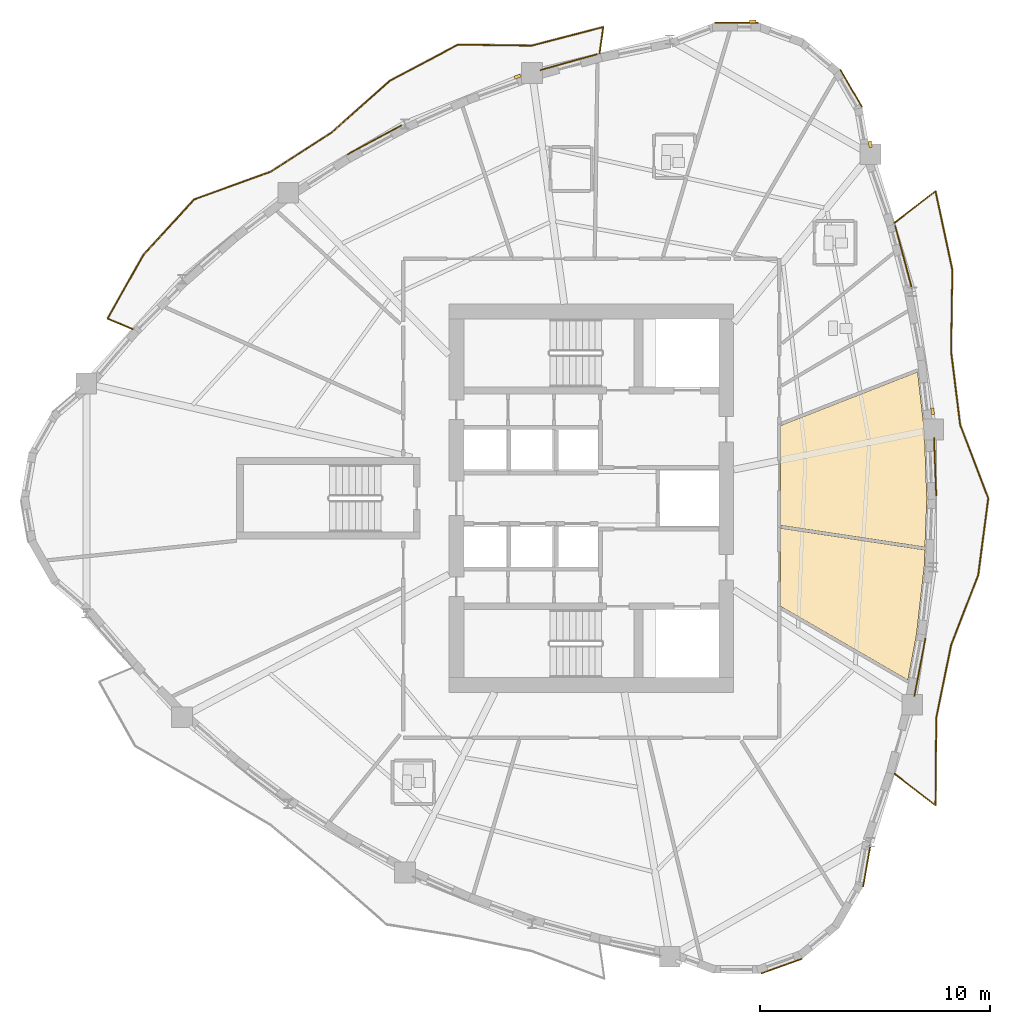
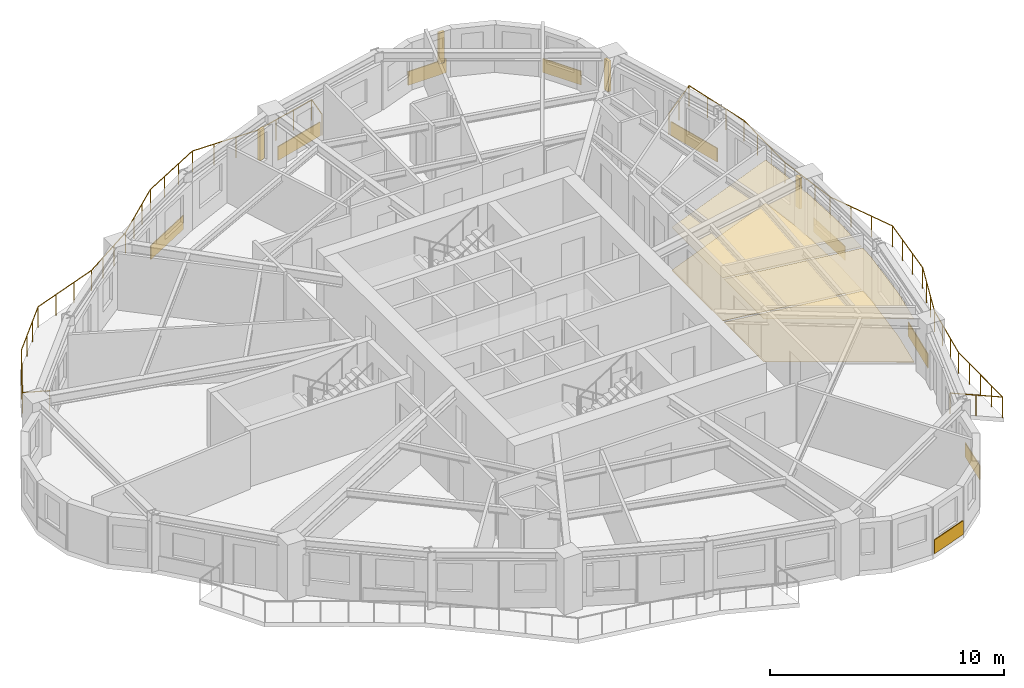
# One storey, part 11 of 12: 13 coverings, 4 shading devices, 2 railings.
"""IFC4 building model written with IfcOpenShell, lengths in metres."""

import ifcopenshell
import ifcopenshell.guid

model = None  # the IFC model being written
_history = None  # IfcOwnerHistory: only IFC2X3 demands one
_inside = {}  # id of a spatial element -> (the spatial element, [elements in it])
_under = {}  # id of a project, library or spatial element -> (it, [spatial elements below it])
_declared = {}  # id of a project -> (the project, [libraries it declares])
_typed = {}  # id of a type object -> (the type object, [elements of that type])
_made_of = {}  # id of a material, layer set ... -> (it, [elements and type objects made of it])


def new_model(schema):
    """Start an empty IFC model of exactly this schema.

    Asked for "IFC4X3", IfcOpenShell would pick the latest addendum, in which some entities
    have other attributes; the version numbers below select the first issue.
    IFC2X3 requires an IfcOwnerHistory on every rooted entity: one is made here for all.
    """
    global model, _history
    if schema == "IFC4X3":
        model = ifcopenshell.file(schema_version=(4, 3, 0, 0))
    else:
        model = ifcopenshell.file(schema=schema)
    _inside.clear()
    _under.clear()
    _declared.clear()
    _typed.clear()
    _made_of.clear()
    _history = None
    if model.schema == "IFC2X3":
        org = make("IfcOrganization", Name="unknown")
        user = make(
            "IfcPersonAndOrganization",
            ThePerson=make("IfcPerson", FamilyName="unknown"),
            TheOrganization=org,
        )
        app = make(
            "IfcApplication",
            ApplicationDeveloper=org,
            Version="unknown",
            ApplicationFullName="unknown",
            ApplicationIdentifier="unknown",
        )
        _history = make(
            "IfcOwnerHistory",
            OwningUser=user,
            OwningApplication=app,
            ChangeAction="ADDED",
            CreationDate=0,
        )
    return model


def make(cls, **values):
    """One entity of the class cls with the attributes given. An attribute that is None is left unset."""
    return model.create_entity(
        cls, **{name: value for name, value in values.items() if value is not None}
    )


def rooted(cls, **values):
    """An entity with a GlobalId (a new one), such as an element, a storey or a relation."""
    return make(cls, GlobalId=ifcopenshell.guid.new(), OwnerHistory=_history, **values)


def si_unit(unit_type, name, prefix=None):
    """IfcSIUnit, for example si_unit("LENGTHUNIT", "METRE", prefix="MILLI")."""
    return make("IfcSIUnit", UnitType=unit_type, Prefix=prefix, Name=name)


def assignment(units):
    """IfcUnitAssignment: the units of a project."""
    return None if units is None else make("IfcUnitAssignment", Units=units)


def point(xyz):
    """IfcCartesianPoint."""
    return None if xyz is None else make("IfcCartesianPoint", Coordinates=xyz)


def direction(xyz):
    """IfcDirection."""
    return None if xyz is None else make("IfcDirection", DirectionRatios=xyz)


def frame(location, z_axis=None, x_axis=None):
    """IfcAxis2Placement3D, a coordinate frame: its origin and axes. An axis left out is left unset."""
    return make(
        "IfcAxis2Placement3D",
        Location=point(location),
        Axis=direction(z_axis),
        RefDirection=direction(x_axis),
    )


def frame_2d(location, x_axis=None):
    """IfcAxis2Placement2D, a coordinate frame in the plane: its origin and x axis."""
    return make(
        "IfcAxis2Placement2D", Location=point(location), RefDirection=direction(x_axis)
    )


def origin():
    """The frame at (0, 0, 0) with its axes left unset."""
    return frame((0.0, 0.0, 0.0))


def origin_2d():
    """The frame at (0, 0) in the plane with its x axis left unset."""
    return frame_2d((0.0, 0.0))


def place(relative_to, where):
    """IfcLocalPlacement: puts the frame where relative to a parent placement (None: the world)."""
    return make(
        "IfcLocalPlacement", PlacementRelTo=relative_to, RelativePlacement=where
    )


def context(
    kind, dimensions, precision=None, world=None, true_north=None, identifier=None
):
    """IfcGeometricRepresentationContext, for example the 3D "Model" context."""
    return make(
        "IfcGeometricRepresentationContext",
        ContextIdentifier=identifier,
        ContextType=kind,
        CoordinateSpaceDimension=dimensions,
        Precision=precision,
        WorldCoordinateSystem=world,
        TrueNorth=true_north,
    )


def subcontext(parent, identifier, kind, view, scale=None):
    """IfcGeometricRepresentationSubContext, for example "Body" below "Model"."""
    return make(
        "IfcGeometricRepresentationSubContext",
        ContextIdentifier=identifier,
        ContextType=kind,
        ParentContext=parent,
        TargetScale=scale,
        TargetView=view,
    )


def project(units=None, contexts=None):
    """IfcProject with its units and contexts."""
    return rooted(
        "IfcProject",
        Name="project",
        RepresentationContexts=contexts,
        UnitsInContext=assignment(units),
    )


def spatial(cls, under=None, at=None, **own):
    """A site, building, storey or space (cls), placed at a placement, below another one or the project."""
    s = rooted(cls, ObjectPlacement=at, **own)
    if under is not None:
        _under.setdefault(under.id(), (under, []))[1].append(s)
    return s


def polyline(points):
    """IfcPolyline through the points."""
    return make("IfcPolyline", Points=[point(p) for p in points])


def profile(cls, at=None, kind="AREA", **sizes):
    """A parametric profile (cls). Its sizes go by their IFC names, for example OverallWidth=200.0."""
    return make(cls, ProfileType=kind, Position=at, **sizes)


def rectangle(**sizes):
    """IfcRectangleProfileDef."""
    return profile("IfcRectangleProfileDef", **sizes)


def circle(**sizes):
    """IfcCircleProfileDef."""
    return profile("IfcCircleProfileDef", **sizes)


def outline(outer, holes=None, kind="AREA"):
    """IfcArbitraryClosedProfileDef: a profile drawn as a closed curve; with holes, ...WithVoids."""
    if holes is None:
        return make("IfcArbitraryClosedProfileDef", ProfileType=kind, OuterCurve=outer)
    return make(
        "IfcArbitraryProfileDefWithVoids",
        ProfileType=kind,
        OuterCurve=outer,
        InnerCurves=holes,
    )


def extrude(swept, where, along, depth):
    """IfcExtrudedAreaSolid: the profile swept, set in the frame where, extruded along a direction by depth."""
    return make(
        "IfcExtrudedAreaSolid",
        SweptArea=swept,
        Position=where,
        ExtrudedDirection=direction(along),
        Depth=depth,
    )


def shape(context_of_items, identifier, shape_type, items):
    """IfcShapeRepresentation: the items that make up one representation, for example the "Body"."""
    return make(
        "IfcShapeRepresentation",
        ContextOfItems=context_of_items,
        RepresentationIdentifier=identifier,
        RepresentationType=shape_type,
        Items=items,
    )


def source(mapping_origin, context_of_items, identifier, shape_type, items):
    """IfcRepresentationMap: a shape defined once, which mapped items show again and again."""
    return make(
        "IfcRepresentationMap",
        MappingOrigin=mapping_origin,
        MappedRepresentation=shape(context_of_items, identifier, shape_type, items),
    )


def transform(
    local_origin,
    x_axis=None,
    y_axis=None,
    z_axis=None,
    scale=None,
    scale2=None,
    scale3=None,
    uniform=True,
):
    """IfcCartesianTransformationOperator3D, or its non-uniform kind. x_axis, y_axis, z_axis: its Axis1, 2, 3."""
    if uniform:
        return make(
            "IfcCartesianTransformationOperator3D",
            Axis1=direction(x_axis),
            Axis2=direction(y_axis),
            LocalOrigin=point(local_origin),
            Scale=scale,
            Axis3=direction(z_axis),
        )
    return make(
        "IfcCartesianTransformationOperator3DnonUniform",
        Axis1=direction(x_axis),
        Axis2=direction(y_axis),
        LocalOrigin=point(local_origin),
        Scale=scale,
        Axis3=direction(z_axis),
        Scale2=scale2,
        Scale3=scale3,
    )


def mapped(mapping_source, mapping_target):
    """IfcMappedItem: shows the shape of a source again, moved by a transform."""
    return make(
        "IfcMappedItem", MappingSource=mapping_source, MappingTarget=mapping_target
    )


def material(Name=None, Category=None):
    """IfcMaterial."""
    return make("IfcMaterial", Name=Name, Category=Category)


def layer(
    of_material, thickness, ventilated=None, Name=None, Category=None, Priority=None
):
    """IfcMaterialLayer: one layer of a wall or slab, of a material (None: an air gap)."""
    return make(
        "IfcMaterialLayer",
        Material=of_material,
        LayerThickness=thickness,
        IsVentilated=ventilated,
        Name=Name,
        Category=Category,
        Priority=Priority,
    )


def layer_set(layers, Name=None):
    """IfcMaterialLayerSet."""
    return make("IfcMaterialLayerSet", MaterialLayers=layers, LayerSetName=Name)


def made_of(thing, what):
    """Note that an element or type object is made of a material, layer set ...; save() writes the relation."""
    if what is not None:
        _made_of.setdefault(what.id(), (what, []))[1].append(thing)
    return thing


def type_object(cls, material=None, **own):
    """A type object (cls), such as IfcWallType, which elements share."""
    return made_of(rooted(cls, **own), material)


def element(
    cls,
    number,
    at=None,
    inside=None,
    cuts=None,
    type_object=None,
    material=None,
    context=None,
    identifier="Body",
    shape_type=None,
    held_by="IfcProductDefinitionShape",
    body=None,
    shapes=None,
    **own,
):
    """One element of the class cls, such as IfcWall. Its Tag is "e" and its number.

    at: its placement. inside: the storey or other place that contains it. cuts: it is an
    opening in that element (IfcRelVoidsElement). A single representation is given by context,
    identifier, shape_type and body (its items); several are given by shapes. held_by: the class
    of the entity that holds the representations. save() writes the other relations.
    """
    e = rooted(cls, Tag="e%d" % number, ObjectPlacement=at, **own)
    if body is not None:
        shapes = [shape(context, identifier, shape_type, body)]
    if shapes is not None:
        e.Representation = make(held_by, Representations=shapes)
    if inside is not None:
        _inside.setdefault(inside.id(), (inside, []))[1].append(e)
    if cuts is not None:
        rooted(
            "IfcRelVoidsElement", RelatingBuildingElement=cuts, RelatedOpeningElement=e
        )
    if type_object is not None:
        _typed.setdefault(type_object.id(), (type_object, []))[1].append(e)
    return made_of(e, material)


def aggregate(whole, parts):
    """IfcRelAggregates: a whole, such as a stair, and the parts it consists of."""
    return rooted("IfcRelAggregates", RelatingObject=whole, RelatedObjects=parts)


def save(model, path):
    """Write the relations noted so far, then the file.

    IfcRelAggregates (storeys below a building ...), IfcRelContainedInSpatialStructure (elements
    in a storey), IfcRelDefinesByType, IfcRelAssociatesMaterial and IfcRelDeclares: one each for
    every whole, place, type object, material and project.
    """
    for whole, parts in _under.values():
        aggregate(whole, parts)
    for where, things in _inside.values():
        rooted(
            "IfcRelContainedInSpatialStructure",
            RelatedElements=things,
            RelatingStructure=where,
        )
    for kind, things in _typed.values():
        rooted("IfcRelDefinesByType", RelatedObjects=things, RelatingType=kind)
    for what, things in _made_of.values():
        rooted("IfcRelAssociatesMaterial", RelatedObjects=things, RelatingMaterial=what)
    for by, libraries in _declared.values():
        rooted("IfcRelDeclares", RelatingContext=by, RelatedDefinitions=libraries)
    model.write(path)


model = new_model("IFC4")

# Units and contexts
model_context = context("Model", 3, precision=1e-05, world=origin(), true_north=direction((0.0, 1.0)))
body_context = subcontext(model_context, "Body", "Model", "MODEL_VIEW")
ifc_project = project(units=[si_unit("LENGTHUNIT", "METRE"), si_unit("AREAUNIT", "SQUARE_METRE"), si_unit("VOLUMEUNIT", "CUBIC_METRE"), si_unit("PLANEANGLEUNIT", "RADIAN"), si_unit("MASSUNIT", "GRAM", prefix="KILO")], contexts=[model_context])

# Site, building, storey
site_placement = place(None, origin())
site = spatial("IfcSite", under=ifc_project, at=site_placement, CompositionType="ELEMENT")
building_placement = place(site_placement, origin())
building = spatial("IfcBuilding", under=site, at=building_placement, Name="Qafzar Sky-Pleat Residences", CompositionType="ELEMENT")
storey_placement = place(building_placement, frame((0.0, 0.0, 96.0)))
storey = spatial("IfcBuildingStorey", under=building, at=storey_placement, Name="L28", CompositionType="ELEMENT", Elevation=96.0)

# Coverings
ifc_material_1 = material(Name="Perforated acoustic gypsum board ceiling")
ifc_layer_1 = layer(ifc_material_1, 0.02001953125)
ifc_layer_set_1 = layer_set([ifc_layer_1], Name="Perforated acoustic gypsum board ceiling")
covering_type_1 = type_object("IfcCoveringType", Name="COV-CEIL-ACOUSTIC", PredefinedType="CEILING", material=ifc_layer_set_1)
covering_1_placement = place(storey_placement, frame((0.0, 0.0, 2.239990234375)))
element("IfcCovering", 1, at=covering_1_placement, inside=storey, type_object=covering_type_1, Name="L28 Communal Kitchen Acoustic Ceiling", PredefinedType="CEILING", context=body_context, shape_type="SweptSolid", body=[
    extrude(outline(polyline([(44.846435546875, 23.035400390625), (44.508544921875, 20.070068359375), (44.132080078125, 18.089111328125), (38.590087890625, 21.298095703125), (38.590087890625, 24.6982421875), (44.873779296875, 23.751708984375), (44.846435546875, 23.035400390625)])), origin(), (0.0, 0.0, 1.0), 0.02001953125),
])
covering_2_placement = place(storey_placement, frame((0.0, 0.0, 2.239990234375)))
element("IfcCovering", 2, at=covering_2_placement, inside=storey, type_object=covering_type_1, Name="L28 Co-Living Lounge Acoustic Ceiling", PredefinedType="CEILING", context=body_context, shape_type="SweptSolid", body=[
    extrude(outline(polyline([(44.846435546875, 28.964599609375), (44.959228515625, 26.0), (44.87841796875, 23.872314453125), (38.590087890625, 24.819580078125), (38.590087890625, 29.162841796875), (44.5576171875, 31.5), (44.846435546875, 28.964599609375)])), origin(), (0.0, 0.0, 1.0), 0.02001953125),
])
ifc_material_2 = material(Name="Honed porcelain and Riyadh stone tile flooring", Category="masonry")
ifc_layer_2 = layer(ifc_material_2, 0.02001953125)
ifc_layer_set_2 = layer_set([ifc_layer_2], Name="Honed porcelain and Riyadh stone tile flooring")
covering_type_2 = type_object("IfcCoveringType", Name="COV-FLR-PORCELAIN", PredefinedType="FLOORING", material=ifc_layer_set_2)
covering_3_placement = place(storey_placement, origin())
element("IfcCovering", 3, at=covering_3_placement, inside=storey, type_object=covering_type_2, Name="L28 Communal Kitchen Honed Stone Flooring", PredefinedType="FLOORING", context=body_context, shape_type="SweptSolid", body=[
    extrude(outline(polyline([(44.846435546875, 23.035400390625), (44.508544921875, 20.070068359375), (44.132080078125, 18.089111328125), (38.590087890625, 21.298095703125), (38.590087890625, 24.6982421875), (44.873779296875, 23.751708984375), (44.846435546875, 23.035400390625)])), origin(), (0.0, 0.0, 1.0), 0.02001953125),
])
covering_4_placement = place(storey_placement, origin())
element("IfcCovering", 4, at=covering_4_placement, inside=storey, type_object=covering_type_2, Name="L28 Co-Living Lounge Honed Stone Flooring", PredefinedType="FLOORING", context=body_context, shape_type="SweptSolid", body=[
    extrude(outline(polyline([(44.846435546875, 28.964599609375), (44.959228515625, 26.0), (44.87841796875, 23.872314453125), (38.590087890625, 24.819580078125), (38.590087890625, 29.162841796875), (44.5576171875, 31.5), (44.846435546875, 28.964599609375)])), origin(), (0.0, 0.0, 1.0), 0.02001953125),
])

# Shading devices
ifc_material_3 = material(Name="Honed Riyadh limestone solar fin", Category="masonry")
ifc_layer_3 = layer(ifc_material_3, 0.139892578125)
ifc_layer_set_3 = layer_set([ifc_layer_3], Name="Honed Riyadh limestone solar fin")
shading_device_type = type_object("IfcShadingDeviceType", Name="SHD-FIN-STONE", PredefinedType="SHUTTER", material=ifc_layer_set_3)
shared_shape_1 = source(origin(), body_context, "Body", "SweptSolid", [
    extrude(rectangle(XDim=0.139892578125, YDim=0.280029296875, at=origin_2d()), origin(), (0.0, 0.0, 1.0), 1.60009765625),
])
for number, where, z_axis, x_axis, name in (
    (5, (45.21044921875, 29.78857421875, 0.599853515625), (0.0, 0.0, 1.0), (0.993566532225, 0.113249927341, 0.0), "L28 Limestone Solar Fin 29"),
    (6, (42.4931640625, 41.4111328125, 0.599853515625), (0.0, 0.0, 1.0), (0.984675881773, 0.174394403163, 0.0), "L28 Limestone Solar Fin 33"),
    (7, (37.37939453125, 46.751953125, 0.599853515625), (0.0, 0.0, 1.0), (-0.006821730637, 0.999976731725, 0.0), "L28 Limestone Solar Fin 37"),
    (8, (27.13720703125, 44.35888671875, 0.599853515625), (0.0, 0.0, 1.0), (-0.338157682767, 0.94108946524, 0.0), "L28 Limestone Solar Fin 41"),
):
    element("IfcShadingDevice", number, at=place(storey_placement, frame(where, z_axis=z_axis, x_axis=x_axis)), inside=storey, type_object=shading_device_type, Name=name, PredefinedType="SHUTTER", context=body_context, shape_type="MappedRepresentation", body=[
        mapped(shared_shape_1, transform((0.0, 0.0, 0.0), x_axis=(1.0, 0.0, 0.0), y_axis=(0.0, 1.0, 0.0), z_axis=(0.0, 0.0, 1.0), scale=1.0)),
    ])

# Coverings
ifc_material_4 = material(Name="Honed Riyadh Tuwaiq limestone cladding", Category="masonry")
ifc_layer_4 = layer(ifc_material_4, 0.044921875)
ifc_layer_set_4 = layer_set([ifc_layer_4], Name="Honed Riyadh Tuwaiq limestone cladding")
covering_type_3 = type_object("IfcCoveringType", Name="COV-CLAD-STONE", PredefinedType="CLADDING", material=ifc_layer_set_4)
shared_shape_2 = source(origin(), body_context, "Body", "SweptSolid", [
    extrude(rectangle(XDim=1.88916015625, YDim=0.044921875, at=origin_2d()), origin(), (0.0, 0.0, 1.0), 0.719970703125),
])
for number, where, z_axis, x_axis, name in (
    (9, (38.63720703125, 5.631103515625, 0.02001953125), (0.0, 0.0, 1.0), (0.941482948476, 0.337060614325, 0.0), "L28 Riyadh Limestone Spandrel Cladding 19"),
    (10, (41.66357421875, 43.84912109375, 0.02001953125), (0.0, 0.0, 1.0), (-0.501956209509, 0.864893036008, 0.0), "L28 Riyadh Limestone Spandrel Cladding 34"),
    (11, (36.666015625, 46.7041015625, 0.02001953125), (0.0, 0.0, 1.0), (-0.999976465978, -0.006860575119, 0.0), "L28 Riyadh Limestone Spandrel Cladding 37"),
):
    element("IfcCovering", number, at=place(storey_placement, frame(where, z_axis=z_axis, x_axis=x_axis)), inside=storey, type_object=covering_type_3, Name=name, PredefinedType="CLADDING", context=body_context, shape_type="MappedRepresentation", body=[
        mapped(shared_shape_2, transform((0.0, 0.0, 0.0), x_axis=(1.0, 0.0, 0.0), y_axis=(0.0, 1.0, 0.0), z_axis=(0.0, 0.0, 1.0), scale=1.0)),
    ])
shared_shape_3 = source(origin(), body_context, "Body", "SweptSolid", [
    extrude(rectangle(XDim=1.8369140625, YDim=0.044921875, at=origin_2d()), origin(), (0.0, 0.0, 1.0), 0.719970703125),
])
covering_5_placement = place(storey_placement, frame((42.34521484375, 10.00048828125, 0.02001953125), z_axis=(0.0, 0.0, 1.0), x_axis=(0.174369449256, 0.984680300994, 0.0)))
element("IfcCovering", 12, at=covering_5_placement, inside=storey, type_object=covering_type_3, Name="L28 Riyadh Limestone Spandrel Cladding 22", PredefinedType="CLADDING", context=body_context, shape_type="MappedRepresentation", body=[
    mapped(shared_shape_3, transform((0.0, 0.0, 0.0), x_axis=(1.0, 0.0, 0.0), y_axis=(0.0, 1.0, 0.0), z_axis=(0.0, 0.0, 1.0), scale=1.0)),
])

# Railing
ifc_material_5 = material(Name="Laminated glass and bronze steel balustrade", Category="steel")
railing_type = type_object("IfcRailingType", Name="RAIL-BAL-1100", PredefinedType="BALUSTRADE", material=ifc_material_5)
shared_shape_4 = source(origin(), body_context, "Body", "SweptSolid", [
    extrude(circle(Radius=0.02392578125, at=origin_2d()), frame((0.0, 0.0, 1.076171875), z_axis=(0.791811965712, -0.6107649392, 0.0), x_axis=(0.6107649392, 0.791811965712, 0.0)), (0.0, 0.0, 1.0), 2.270751953125),
    extrude(circle(Radius=0.02392578125, at=origin_2d()), frame((1.798095703125, -1.386962890625, 1.076171875), z_axis=(0.008255718644, 0.999965920974, 0.0), x_axis=(-0.999965920974, 0.008255718644, 0.0)), (0.0, 0.0, 1.0), 3.81494140625),
    extrude(circle(Radius=0.02392578125, at=origin_2d()), frame((1.82958984375, 2.427734375, 1.076171875), z_axis=(0.200234941814, 0.979747910473, 0.0), x_axis=(-0.979747910473, 0.200234941814, 0.0)), (0.0, 0.0, 1.0), 3.23583984375),
    extrude(circle(Radius=0.02392578125, at=origin_2d()), frame((2.4775390625, 5.59814453125, 1.076171875), z_axis=(0.360738674661, 0.932666933371, 0.0), x_axis=(-0.932666933371, 0.360738674661, 0.0)), (0.0, 0.0, 1.0), 3.271484375),
    extrude(circle(Radius=0.02392578125, at=origin_2d()), frame((3.65771484375, 8.6494140625, 1.076171875), z_axis=(0.129652626541, 0.991559477001, 0.0), x_axis=(-0.991559477001, 0.129652626541, 0.0)), (0.0, 0.0, 1.0), 3.363037109375),
    extrude(circle(Radius=0.02392578125, at=origin_2d()), frame((4.09375, 11.984130859375, 1.076171875), z_axis=(-0.357507023582, 0.933910449716, 0.0), x_axis=(-0.933910449716, -0.357507023582, 0.0)), (0.0, 0.0, 1.0), 3.424072265625),
    extrude(circle(Radius=0.02392578125, at=origin_2d()), frame((2.86962890625, 15.181884765625, 1.076171875), z_axis=(-0.122060750856, 0.992522631027, 0.0), x_axis=(-0.992522631027, -0.122060750856, 0.0)), (0.0, 0.0, 1.0), 3.212158203125),
    extrude(circle(Radius=0.02392578125, at=origin_2d()), frame((2.4775390625, 18.3701171875, 1.076171875), z_axis=(0.014897076555, 0.999889032398, 0.0), x_axis=(-0.999889032398, 0.014897076555, 0.0)), (0.0, 0.0, 1.0), 3.556396484375),
    extrude(circle(Radius=0.02392578125, at=origin_2d()), frame((2.530517578125, 21.926025390625, 1.076171875), z_axis=(-0.208872875057, 0.977942801019, 0.0), x_axis=(-0.977942801019, -0.208872875057, 0.0)), (0.0, 0.0, 1.0), 3.506591796875),
    extrude(circle(Radius=0.02392578125, at=origin_2d()), frame((1.798095703125, 25.355224609375, 1.076171875), z_axis=(-0.791811965712, -0.6107649392, 0.0), x_axis=(0.6107649392, -0.791811965712, 0.0)), (0.0, 0.0, 1.0), 2.270751953125),
    extrude(circle(Radius=0.02099609375, at=origin_2d()), origin(), (0.0, 0.0, 1.0), 1.052001953125),
    extrude(circle(Radius=0.02099609375, at=origin_2d()), frame((0.89892578125, -0.693359375, 0.0)), (0.0, 0.0, 1.0), 1.052001953125),
    extrude(circle(Radius=0.02099609375, at=origin_2d()), frame((1.798095703125, -1.386962890625, 0.0)), (0.0, 0.0, 1.0), 1.052001953125),
    extrude(circle(Radius=0.02099609375, at=origin_2d()), frame((1.805908203125, -0.433349609375, 0.0)), (0.0, 0.0, 1.0), 1.052001953125),
    extrude(circle(Radius=0.02099609375, at=origin_2d()), frame((1.81396484375, 0.5205078125, 0.0)), (0.0, 0.0, 1.0), 1.052001953125),
    extrude(circle(Radius=0.02099609375, at=origin_2d()), frame((1.82177734375, 1.47412109375, 0.0)), (0.0, 0.0, 1.0), 1.052001953125),
    extrude(circle(Radius=0.02099609375, at=origin_2d()), frame((1.82958984375, 2.427734375, 0.0)), (0.0, 0.0, 1.0), 1.052001953125),
    extrude(circle(Radius=0.02099609375, at=origin_2d()), frame((2.045654296875, 3.484619140625, 0.0)), (0.0, 0.0, 1.0), 1.052001953125),
    extrude(circle(Radius=0.02099609375, at=origin_2d()), frame((2.261474609375, 4.541259765625, 0.0)), (0.0, 0.0, 1.0), 1.052001953125),
    extrude(circle(Radius=0.02099609375, at=origin_2d()), frame((2.4775390625, 5.59814453125, 0.0)), (0.0, 0.0, 1.0), 1.052001953125),
    extrude(circle(Radius=0.02099609375, at=origin_2d()), frame((2.870849609375, 6.615234375, 0.0)), (0.0, 0.0, 1.0), 1.052001953125),
    extrude(circle(Radius=0.02099609375, at=origin_2d()), frame((3.264404296875, 7.63232421875, 0.0)), (0.0, 0.0, 1.0), 1.052001953125),
    extrude(circle(Radius=0.02099609375, at=origin_2d()), frame((3.65771484375, 8.6494140625, 0.0)), (0.0, 0.0, 1.0), 1.052001953125),
    extrude(circle(Radius=0.02099609375, at=origin_2d()), frame((3.802978515625, 9.760986328125, 0.0)), (0.0, 0.0, 1.0), 1.052001953125),
    extrude(circle(Radius=0.02099609375, at=origin_2d()), frame((3.948486328125, 10.87255859375, 0.0)), (0.0, 0.0, 1.0), 1.052001953125),
    extrude(circle(Radius=0.02099609375, at=origin_2d()), frame((4.09375, 11.984130859375, 0.0)), (0.0, 0.0, 1.0), 1.052001953125),
    extrude(circle(Radius=0.02099609375, at=origin_2d()), frame((3.685791015625, 13.050048828125, 0.0)), (0.0, 0.0, 1.0), 1.052001953125),
    extrude(circle(Radius=0.02099609375, at=origin_2d()), frame((3.277587890625, 14.115966796875, 0.0)), (0.0, 0.0, 1.0), 1.052001953125),
    extrude(circle(Radius=0.02099609375, at=origin_2d()), frame((2.86962890625, 15.181884765625, 0.0)), (0.0, 0.0, 1.0), 1.052001953125),
    extrude(circle(Radius=0.02099609375, at=origin_2d()), frame((2.739013671875, 16.24462890625, 0.0)), (0.0, 0.0, 1.0), 1.052001953125),
    extrude(circle(Radius=0.02099609375, at=origin_2d()), frame((2.608154296875, 17.307373046875, 0.0)), (0.0, 0.0, 1.0), 1.052001953125),
    extrude(circle(Radius=0.02099609375, at=origin_2d()), frame((2.4775390625, 18.3701171875, 0.0)), (0.0, 0.0, 1.0), 1.052001953125),
    extrude(circle(Radius=0.02099609375, at=origin_2d()), frame((2.4951171875, 19.555419921875, 0.0)), (0.0, 0.0, 1.0), 1.052001953125),
    extrude(circle(Radius=0.02099609375, at=origin_2d()), frame((2.512939453125, 20.74072265625, 0.0)), (0.0, 0.0, 1.0), 1.052001953125),
    extrude(circle(Radius=0.02099609375, at=origin_2d()), frame((2.530517578125, 21.926025390625, 0.0)), (0.0, 0.0, 1.0), 1.052001953125),
    extrude(circle(Radius=0.02099609375, at=origin_2d()), frame((2.286376953125, 23.069091796875, 0.0)), (0.0, 0.0, 1.0), 1.052001953125),
    extrude(circle(Radius=0.02099609375, at=origin_2d()), frame((2.042236328125, 24.212158203125, 0.0)), (0.0, 0.0, 1.0), 1.052001953125),
    extrude(circle(Radius=0.02099609375, at=origin_2d()), frame((1.798095703125, 25.355224609375, 0.0)), (0.0, 0.0, 1.0), 1.052001953125),
    extrude(circle(Radius=0.02099609375, at=origin_2d()), frame((0.89892578125, 24.66162109375, 0.0)), (0.0, 0.0, 1.0), 1.052001953125),
    extrude(circle(Radius=0.02099609375, at=origin_2d()), frame((0.0, 23.96826171875, 0.0)), (0.0, 0.0, 1.0), 1.052001953125),
])
railing_1_placement = place(storey_placement, frame((43.53857421875, 14.015869140625, 0.0)))
element("IfcRailing", 13, at=railing_1_placement, inside=storey, type_object=railing_type, Name="L28 Pleated Balcony 1 Balustrade", PredefinedType="BALUSTRADE", context=body_context, shape_type="MappedRepresentation", body=[
    mapped(shared_shape_4, transform((0.0, 0.0, 0.0), x_axis=(1.0, 0.0, 0.0), y_axis=(0.0, 1.0, 0.0), z_axis=(0.0, 0.0, 1.0), scale=1.0)),
])

# Coverings
shared_shape_5 = source(origin(), body_context, "Body", "SweptSolid", [
    extrude(rectangle(XDim=2.5703125, YDim=0.044921875, at=origin_2d()), origin(), (0.0, 0.0, 1.0), 0.719970703125),
])
covering_6_placement = place(storey_placement, frame((44.656494140625, 18.64208984375, 0.02001953125), z_axis=(0.0, 0.0, 1.0), x_axis=(0.186672812525, 0.98242213995, 0.0)))
element("IfcCovering", 14, at=covering_6_placement, inside=storey, type_object=covering_type_3, Name="L28 Riyadh Limestone Spandrel Cladding 25", PredefinedType="CLADDING", context=body_context, shape_type="MappedRepresentation", body=[
    mapped(shared_shape_5, transform((0.0, 0.0, 0.0), x_axis=(1.0, 0.0, 0.0), y_axis=(0.0, 1.0, 0.0), z_axis=(0.0, 0.0, 1.0), scale=1.0)),
])
shared_shape_6 = source(origin(), body_context, "Body", "SweptSolid", [
    extrude(rectangle(XDim=2.52392578125, YDim=0.044921875, at=origin_2d()), origin(), (0.0, 0.0, 1.0), 0.719970703125),
])
covering_7_placement = place(storey_placement, frame((45.319580078125, 27.364013671875, 0.02001953125), z_axis=(0.0, 0.0, 1.0), x_axis=(-0.037977080254, 0.999278610486, 0.0)))
element("IfcCovering", 15, at=covering_7_placement, inside=storey, type_object=covering_type_3, Name="L28 Riyadh Limestone Spandrel Cladding 28", PredefinedType="CLADDING", context=body_context, shape_type="MappedRepresentation", body=[
    mapped(shared_shape_6, transform((0.0, 0.0, 0.0), x_axis=(1.0, 0.0, 0.0), y_axis=(0.0, 1.0, 0.0), z_axis=(0.0, 0.0, 1.0), scale=1.0)),
])
shared_shape_7 = source(origin(), body_context, "Body", "SweptSolid", [
    extrude(rectangle(XDim=2.8046875, YDim=0.044921875, at=origin_2d()), origin(), (0.0, 0.0, 1.0), 0.719970703125),
])
covering_8_placement = place(storey_placement, frame((43.94091796875, 36.513427734375, 0.02001953125), z_axis=(0.0, 0.0, 1.0), x_axis=(-0.257095393511, 0.966386029822, 0.0)))
element("IfcCovering", 16, at=covering_8_placement, inside=storey, type_object=covering_type_3, Name="L28 Riyadh Limestone Spandrel Cladding 31", PredefinedType="CLADDING", context=body_context, shape_type="MappedRepresentation", body=[
    mapped(shared_shape_7, transform((0.0, 0.0, 0.0), x_axis=(1.0, 0.0, 0.0), y_axis=(0.0, 1.0, 0.0), z_axis=(0.0, 0.0, 1.0), scale=1.0)),
])
shared_shape_8 = source(origin(), body_context, "Body", "SweptSolid", [
    extrude(rectangle(XDim=2.572509765625, YDim=0.044921875, at=origin_2d()), origin(), (0.0, 0.0, 1.0), 0.719970703125),
])
covering_9_placement = place(storey_placement, frame((29.3623046875, 44.9853515625, 0.02001953125), z_axis=(0.0, 0.0, 1.0), x_axis=(-0.963044274511, -0.269343136781, 0.0)))
element("IfcCovering", 17, at=covering_9_placement, inside=storey, type_object=covering_type_3, Name="L28 Riyadh Limestone Spandrel Cladding 40", PredefinedType="CLADDING", context=body_context, shape_type="MappedRepresentation", body=[
    mapped(shared_shape_8, transform((0.0, 0.0, 0.0), x_axis=(1.0, 0.0, 0.0), y_axis=(0.0, 1.0, 0.0), z_axis=(0.0, 0.0, 1.0), scale=1.0)),
])
shared_shape_9 = source(origin(), body_context, "Body", "SweptSolid", [
    extrude(rectangle(XDim=2.67138671875, YDim=0.044921875, at=origin_2d()), origin(), (0.0, 0.0, 1.0), 0.719970703125),
])
covering_10_placement = place(storey_placement, frame((20.902099609375, 41.600341796875, 0.02001953125), z_axis=(0.0, 0.0, 1.0), x_axis=(-0.88010083867, -0.474786808759, 0.0)))
element("IfcCovering", 18, at=covering_10_placement, inside=storey, type_object=covering_type_3, Name="L28 Riyadh Limestone Spandrel Cladding 43", PredefinedType="CLADDING", context=body_context, shape_type="MappedRepresentation", body=[
    mapped(shared_shape_9, transform((0.0, 0.0, 0.0), x_axis=(1.0, 0.0, 0.0), y_axis=(0.0, 1.0, 0.0), z_axis=(0.0, 0.0, 1.0), scale=1.0)),
])

# Railing
shared_shape_10 = source(origin(), body_context, "Body", "SweptSolid", [
    extrude(circle(Radius=0.02392578125, at=origin_2d()), frame((0.0, 0.0, 1.076171875), z_axis=(0.13866410742, 0.990339469734, 0.0), x_axis=(-0.990339469734, 0.13866410742, 0.0)), (0.0, 0.0, 1.0), 1.177978515625),
    extrude(circle(Radius=0.02392578125, at=origin_2d()), frame((0.163330078125, 1.16650390625, 1.076171875), z_axis=(-0.967858308396, -0.251496113028, 0.0), x_axis=(0.251496113028, -0.967858308396, 0.0)), (0.0, 0.0, 1.0), 3.220947265625),
    extrude(circle(Radius=0.02392578125, at=origin_2d()), frame((-2.9541015625, 0.3564453125, 1.076171875), z_axis=(-0.999904765402, 0.013800729185, 0.0), x_axis=(-0.013800729185, -0.999904765402, 0.0)), (0.0, 0.0, 1.0), 3.201904296875),
    extrude(circle(Radius=0.02392578125, at=origin_2d()), frame((-6.15576171875, 0.400634765625, 1.076171875), z_axis=(-0.883537869086, -0.468359727016, 0.0), x_axis=(0.468359727016, -0.883537869086, 0.0)), (0.0, 0.0, 1.0), 3.374267578125),
    extrude(circle(Radius=0.02392578125, at=origin_2d()), frame((-9.136962890625, -1.1796875, 1.076171875), z_axis=(-0.746917099165, -0.664917173019, 0.0), x_axis=(0.664917173019, -0.746917099165, 0.0)), (0.0, 0.0, 1.0), 3.367431640625),
    extrude(circle(Radius=0.02392578125, at=origin_2d()), frame((-11.652099609375, -3.418701171875, 1.076171875), z_axis=(-0.84059217524, -0.541668528646, 0.0), x_axis=(0.541668528646, -0.84059217524, 0.0)), (0.0, 0.0, 1.0), 3.155029296875),
    extrude(circle(Radius=0.02392578125, at=origin_2d()), frame((-14.30419921875, -5.127685546875, 1.076171875), z_axis=(-0.940226370798, -0.340550101535, 0.0), x_axis=(0.340550101535, -0.940226370798, 0.0)), (0.0, 0.0, 1.0), 3.550048828125),
    extrude(circle(Radius=0.02392578125, at=origin_2d()), frame((-17.64208984375, -6.336669921875, 1.076171875), z_axis=(-0.675010892042, -0.737807763326, 0.0), x_axis=(0.737807763326, -0.675010892042, 0.0)), (0.0, 0.0, 1.0), 3.30078125),
    extrude(circle(Radius=0.02392578125, at=origin_2d()), frame((-19.8701171875, -8.77197265625, 1.076171875), z_axis=(-0.488793847429, -0.872399320676, 0.0), x_axis=(0.872399320676, -0.488793847429, 0.0)), (0.0, 0.0, 1.0), 3.1611328125),
    extrude(circle(Radius=0.02392578125, at=origin_2d()), frame((-21.415283203125, -11.52978515625, 1.076171875), z_axis=(0.922634855907, -0.385674633163, 0.0), x_axis=(0.385674633163, 0.922634855907, 0.0)), (0.0, 0.0, 1.0), 1.177978515625),
    extrude(circle(Radius=0.02099609375, at=origin_2d()), origin(), (0.0, 0.0, 1.0), 1.052001953125),
    extrude(circle(Radius=0.02099609375, at=origin_2d()), frame((0.163330078125, 1.16650390625, 0.0)), (0.0, 0.0, 1.0), 1.052001953125),
    extrude(circle(Radius=0.02099609375, at=origin_2d()), frame((-0.875732421875, 0.896484375, 0.0)), (0.0, 0.0, 1.0), 1.052001953125),
    extrude(circle(Radius=0.02099609375, at=origin_2d()), frame((-1.9150390625, 0.62646484375, 0.0)), (0.0, 0.0, 1.0), 1.052001953125),
    extrude(circle(Radius=0.02099609375, at=origin_2d()), frame((-2.9541015625, 0.3564453125, 0.0)), (0.0, 0.0, 1.0), 1.052001953125),
    extrude(circle(Radius=0.02099609375, at=origin_2d()), frame((-4.021240234375, 0.37109375, 0.0)), (0.0, 0.0, 1.0), 1.052001953125),
    extrude(circle(Radius=0.02099609375, at=origin_2d()), frame((-5.088623046875, 0.385986328125, 0.0)), (0.0, 0.0, 1.0), 1.052001953125),
    extrude(circle(Radius=0.02099609375, at=origin_2d()), frame((-6.15576171875, 0.400634765625, 0.0)), (0.0, 0.0, 1.0), 1.052001953125),
    extrude(circle(Radius=0.02099609375, at=origin_2d()), frame((-7.1494140625, -0.126220703125, 0.0)), (0.0, 0.0, 1.0), 1.052001953125),
    extrude(circle(Radius=0.02099609375, at=origin_2d()), frame((-8.143310546875, -0.65283203125, 0.0)), (0.0, 0.0, 1.0), 1.052001953125),
    extrude(circle(Radius=0.02099609375, at=origin_2d()), frame((-9.136962890625, -1.1796875, 0.0)), (0.0, 0.0, 1.0), 1.052001953125),
    extrude(circle(Radius=0.02099609375, at=origin_2d()), frame((-9.975341796875, -1.926025390625, 0.0)), (0.0, 0.0, 1.0), 1.052001953125),
    extrude(circle(Radius=0.02099609375, at=origin_2d()), frame((-10.813720703125, -2.67236328125, 0.0)), (0.0, 0.0, 1.0), 1.052001953125),
    extrude(circle(Radius=0.02099609375, at=origin_2d()), frame((-11.652099609375, -3.418701171875, 0.0)), (0.0, 0.0, 1.0), 1.052001953125),
    extrude(circle(Radius=0.02099609375, at=origin_2d()), frame((-12.5361328125, -3.98828125, 0.0)), (0.0, 0.0, 1.0), 1.052001953125),
    extrude(circle(Radius=0.02099609375, at=origin_2d()), frame((-13.420166015625, -4.55810546875, 0.0)), (0.0, 0.0, 1.0), 1.052001953125),
    extrude(circle(Radius=0.02099609375, at=origin_2d()), frame((-14.30419921875, -5.127685546875, 0.0)), (0.0, 0.0, 1.0), 1.052001953125),
    extrude(circle(Radius=0.02099609375, at=origin_2d()), frame((-15.416748046875, -5.53076171875, 0.0)), (0.0, 0.0, 1.0), 1.052001953125),
    extrude(circle(Radius=0.02099609375, at=origin_2d()), frame((-16.529541015625, -5.93359375, 0.0)), (0.0, 0.0, 1.0), 1.052001953125),
    extrude(circle(Radius=0.02099609375, at=origin_2d()), frame((-17.64208984375, -6.336669921875, 0.0)), (0.0, 0.0, 1.0), 1.052001953125),
    extrude(circle(Radius=0.02099609375, at=origin_2d()), frame((-18.384765625, -7.1484375, 0.0)), (0.0, 0.0, 1.0), 1.052001953125),
    extrude(circle(Radius=0.02099609375, at=origin_2d()), frame((-19.12744140625, -7.960205078125, 0.0)), (0.0, 0.0, 1.0), 1.052001953125),
    extrude(circle(Radius=0.02099609375, at=origin_2d()), frame((-19.8701171875, -8.77197265625, 0.0)), (0.0, 0.0, 1.0), 1.052001953125),
    extrude(circle(Radius=0.02099609375, at=origin_2d()), frame((-20.38525390625, -9.691162109375, 0.0)), (0.0, 0.0, 1.0), 1.052001953125),
    extrude(circle(Radius=0.02099609375, at=origin_2d()), frame((-20.900146484375, -10.610595703125, 0.0)), (0.0, 0.0, 1.0), 1.052001953125),
    extrude(circle(Radius=0.02099609375, at=origin_2d()), frame((-21.415283203125, -11.52978515625, 0.0)), (0.0, 0.0, 1.0), 1.052001953125),
    extrude(circle(Radius=0.02099609375, at=origin_2d()), frame((-20.328369140625, -11.984130859375, 0.0)), (0.0, 0.0, 1.0), 1.052001953125),
])
railing_2_placement = place(storey_placement, frame((30.709716796875, 45.350830078125, 0.0)))
element("IfcRailing", 19, at=railing_2_placement, inside=storey, type_object=railing_type, Name="L28 Pleated Balcony 2 Balustrade", PredefinedType="BALUSTRADE", context=body_context, shape_type="MappedRepresentation", body=[
    mapped(shared_shape_10, transform((0.0, 0.0, 0.0), x_axis=(1.0, 0.0, 0.0), y_axis=(0.0, 1.0, 0.0), z_axis=(0.0, 0.0, 1.0), scale=1.0)),
])

save(model, "model.ifc")
